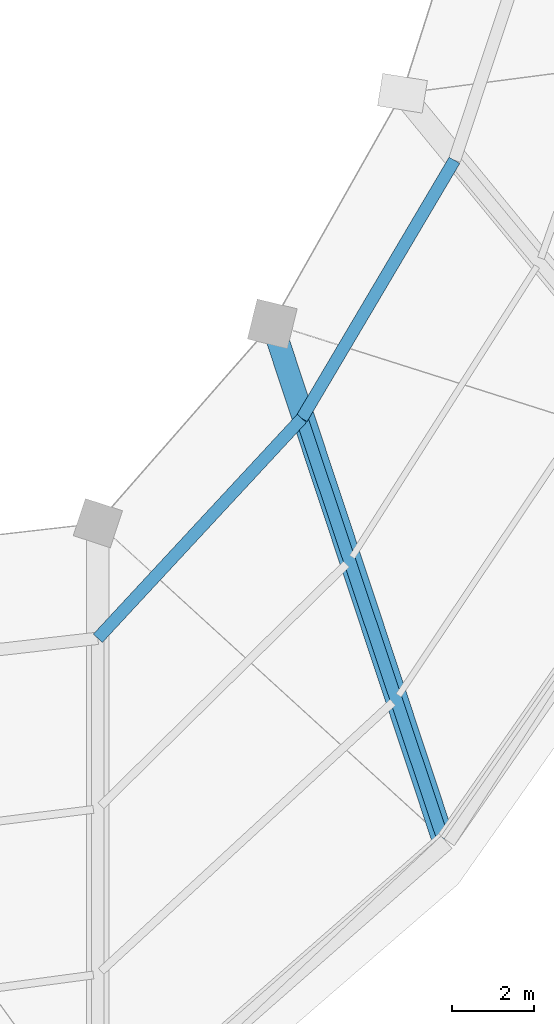
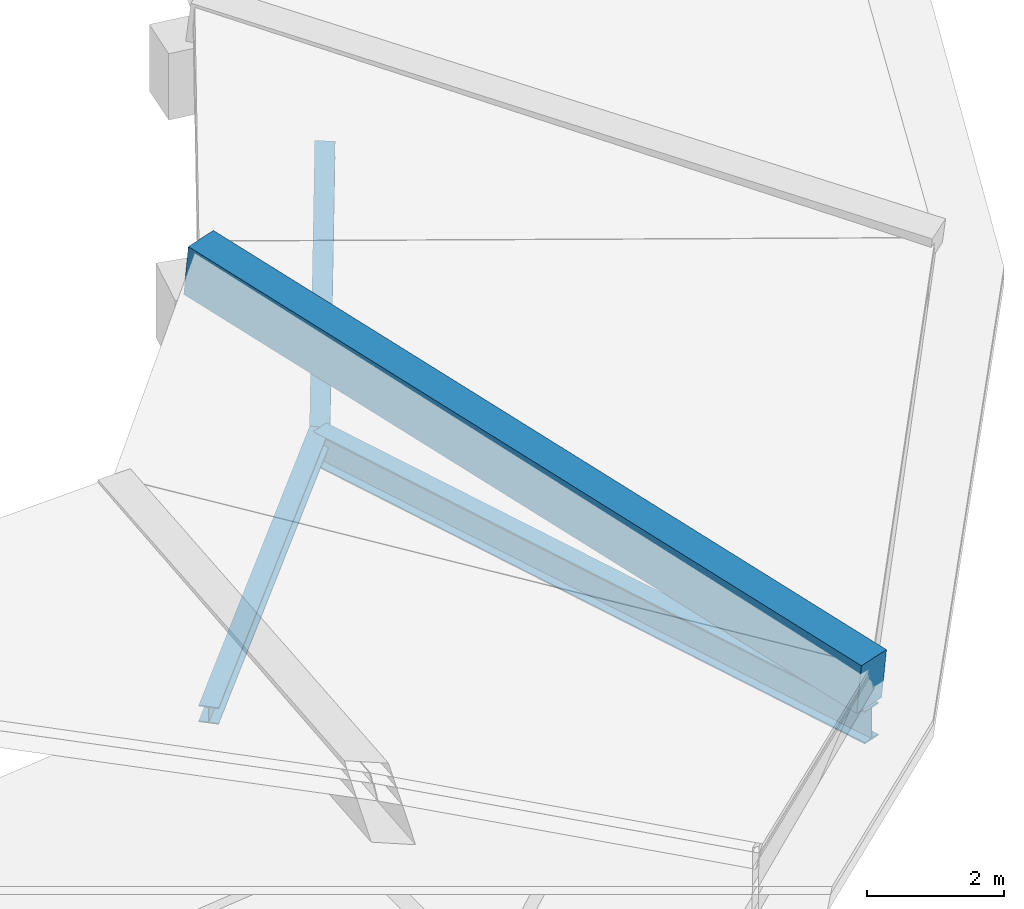
# One storey, part 27 of 67: 4 beams.
"""IFC4 building model written with IfcOpenShell, lengths in metres."""

from ifc_helpers import new_model, si_unit, direction, frame, origin, origin_2d, place, context, subcontext, project, spatial, rectangle, i_section, extrude, material, material_profile, profile_set, type_object, element, save


model = new_model("IFC4")

# Units and contexts
model_context = context("Model", 3, precision=1e-05, world=origin(), true_north=direction((0.0, 1.0)))
body_context = subcontext(model_context, "Body", "Model", "MODEL_VIEW")
ifc_project = project(units=[si_unit("LENGTHUNIT", "METRE"), si_unit("AREAUNIT", "SQUARE_METRE"), si_unit("VOLUMEUNIT", "CUBIC_METRE"), si_unit("PLANEANGLEUNIT", "RADIAN"), si_unit("MASSUNIT", "GRAM", prefix="KILO")], contexts=[model_context])

# Site, building, storey
site_placement = place(None, origin())
site = spatial("IfcSite", under=ifc_project, at=site_placement, CompositionType="ELEMENT")
building_placement = place(site_placement, origin())
building = spatial("IfcBuilding", under=site, at=building_placement, Name="Sohan Crest Arena", CompositionType="ELEMENT")
storey_placement = place(building_placement, frame((0.0, 0.0, 22.5)))
storey = spatial("IfcBuildingStorey", under=building, at=storey_placement, Name="L05", CompositionType="ELEMENT", Elevation=22.5)

# Beams
ifc_material_1 = material(Name="Steel S355", Category="steel")
ifc_material_profile_1 = material_profile(ifc_material_1, i_section(OverallWidth=0.300048828125, OverallDepth=0.590087890625, WebThickness=0.012939453125, FlangeThickness=0.02490234375, at=origin_2d()), Name="HEA 600")
ifc_profile_set_1 = profile_set([ifc_material_profile_1], Name="Steel S355")
beam_type_1 = type_object("IfcBeamType", Name="STR-BM-B11", PredefinedType="BEAM", material=ifc_profile_set_1)
beam_1_placement = place(storey_placement, frame((172.9609375, 57.547119140625, -0.514892578125), z_axis=(0.318297981778, -0.947990714509, 0.0), x_axis=(0.947990714509, 0.318297981778, 0.0)))
element("IfcBeam", 1, at=beam_1_placement, inside=storey, type_object=beam_type_1, Name="Structural beam G-L05-1796", PredefinedType="BEAM", context=body_context, shape_type="SweptSolid", body=[
    extrude(i_section(OverallWidth=0.300048828125, OverallDepth=0.590087890625, WebThickness=0.012939453125, FlangeThickness=0.02490234375, at=origin_2d()), origin(), (0.0, 0.0, 1.0), 10.751220703125),
])
ifc_material_profile_2 = material_profile(ifc_material_1, i_section(OverallWidth=0.300048828125, OverallDepth=0.300048828125, WebThickness=0.010986328125, FlangeThickness=0.01904296875, at=origin_2d()), Name="HEB 300")
ifc_profile_set_2 = profile_set([ifc_material_profile_2], Name="Steel S355")
beam_type_2 = type_object("IfcBeamType", Name="STR-BM-B12", PredefinedType="BEAM", material=ifc_profile_set_2)
beam_2_placement = place(storey_placement, frame((168.0, 52.199951171875, -0.3701171875), z_axis=(0.680135214567, 0.733086686488, 0.0), x_axis=(-0.733086686488, 0.680135214567, 0.0)))
element("IfcBeam", 2, at=beam_2_placement, inside=storey, type_object=beam_type_2, Name="Structural beam G-L05-1792", PredefinedType="BEAM", context=body_context, shape_type="SweptSolid", body=[
    extrude(i_section(OverallWidth=0.300048828125, OverallDepth=0.300048828125, WebThickness=0.010986328125, FlangeThickness=0.01904296875, at=origin_2d()), origin(), (0.0, 0.0, 1.0), 7.2939453125),
])
beam_3_placement = place(storey_placement, frame((172.9609375, 57.547119140625, -0.3701171875), z_axis=(0.509085626747, 0.860715879161, 0.0), x_axis=(-0.860715879161, 0.509085626747, 0.0)))
element("IfcBeam", 3, at=beam_3_placement, inside=storey, type_object=beam_type_2, Name="Structural beam G-L05-1797", PredefinedType="BEAM", context=body_context, shape_type="SweptSolid", body=[
    extrude(i_section(OverallWidth=0.300048828125, OverallDepth=0.300048828125, WebThickness=0.010986328125, FlangeThickness=0.01904296875, at=origin_2d()), origin(), (0.0, 0.0, 1.0), 7.293701171875),
])
ifc_material_2 = material(Name="Precast concrete C50/60", Category="concrete")
ifc_material_profile_3 = material_profile(ifc_material_2, rectangle(XDim=0.550048828125, YDim=0.89990234375, at=origin_2d()), Name="RAKER 550x900")
ifc_profile_set_3 = profile_set([ifc_material_profile_3], Name="Precast concrete C50/60")
beam_type_3 = type_object("IfcBeamType", Name="STR-BM-RK01", PredefinedType="USERDEFINED", material=ifc_profile_set_3)
beam_4_placement = place(storey_placement, frame((172.242919921875, 59.845947265625, 1.574951171875), z_axis=(0.312976464904, -0.944263172184, -0.102043099095), x_axis=(0.949218110987, 0.314618781661, 0.0)))
element("IfcBeam", 4, at=beam_4_placement, inside=storey, type_object=beam_type_3, Name="Perimeter radial apron raker RKB-21", ObjectType="RAKER", PredefinedType="USERDEFINED", context=body_context, shape_type="SweptSolid", body=[
    extrude(rectangle(XDim=0.550048828125, YDim=0.89990234375, at=origin_2d()), origin(), (0.0, 0.0, 1.0), 13.228271484375),
])

save(model, "model.ifc")
